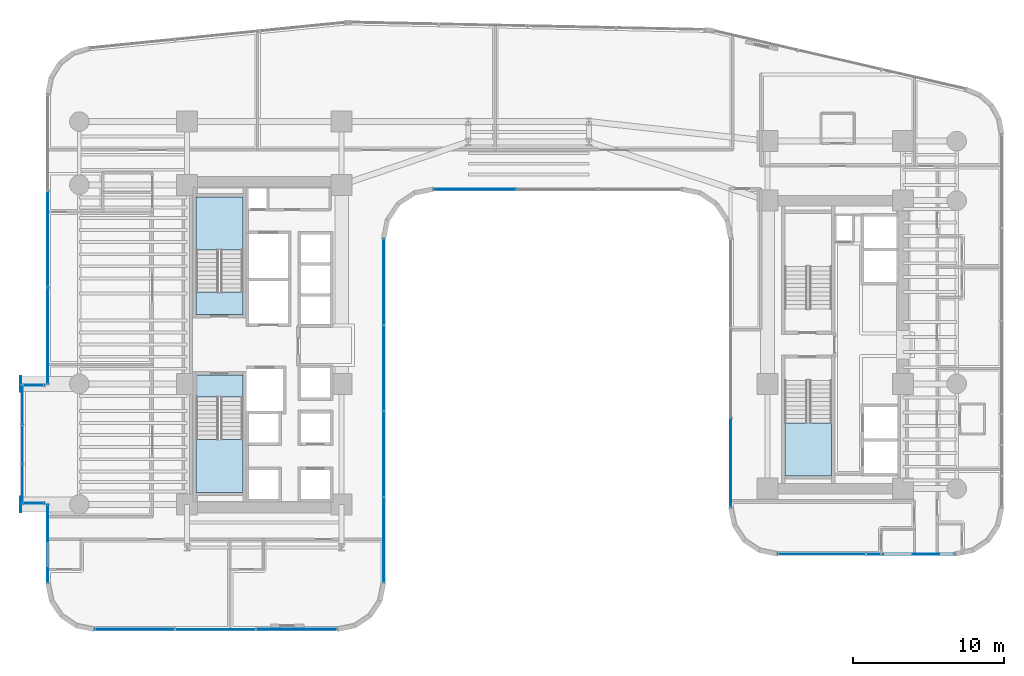
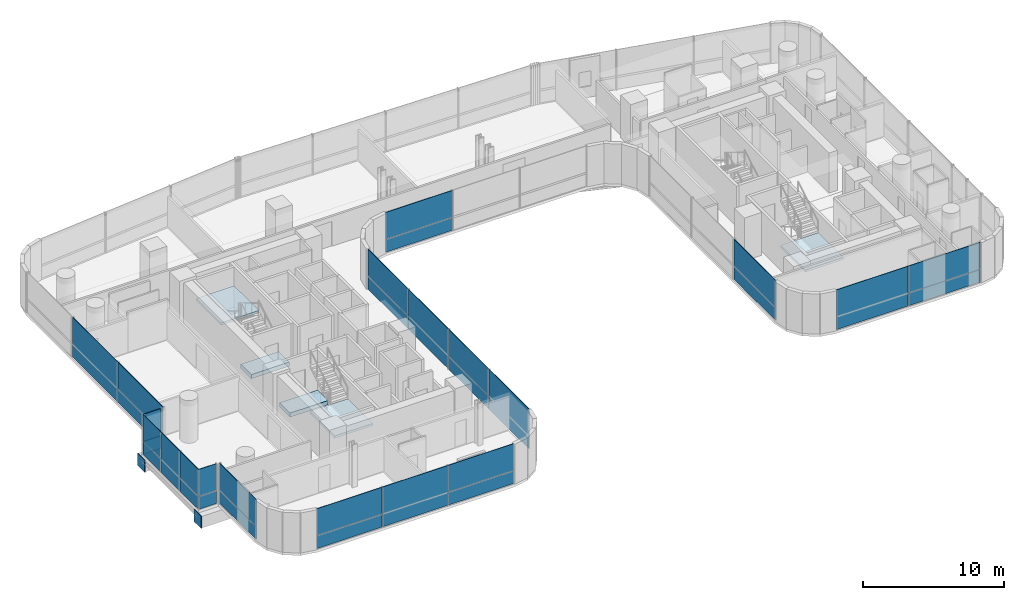
# One storey, part 28 of 40: 34 plates, 5 slabs, 13 elements without a shape of their own.
"""IFC4 building model written with IfcOpenShell, lengths in metres."""

from ifc_helpers import new_model, si_unit, direction, frame, origin, origin_2d, place, context, subcontext, project, spatial, polyline, rectangle, outline, extrude, source, transform, mapped, material, layer, layer_set, type_object, element, aggregate, save


model = new_model("IFC4")

# Units and contexts
model_context = context("Model", 3, precision=1e-05, world=origin(), true_north=direction((0.0, 1.0)))
body_context = subcontext(model_context, "Body", "Model", "MODEL_VIEW")
ifc_project = project(units=[si_unit("LENGTHUNIT", "METRE"), si_unit("AREAUNIT", "SQUARE_METRE"), si_unit("VOLUMEUNIT", "CUBIC_METRE"), si_unit("PLANEANGLEUNIT", "RADIAN"), si_unit("MASSUNIT", "GRAM", prefix="KILO")], contexts=[model_context])

# Site, building, storey
site_placement = place(None, origin())
site = spatial("IfcSite", under=ifc_project, at=site_placement, CompositionType="ELEMENT")
building_placement = place(site_placement, origin())
building = spatial("IfcBuilding", under=site, at=building_placement, Name="Valdorenza Pilgrim Sanctuary Tower", CompositionType="ELEMENT")
storey_placement = place(building_placement, frame((0.0, 0.0, 66.699951171875)))
storey = spatial("IfcBuildingStorey", under=building, at=storey_placement, Name="L16", CompositionType="ELEMENT", Elevation=66.699951171875)

# Stair, slab
ifc_material_1 = material(Name="Concrete C40/50", Category="concrete")
stair_type = type_object("IfcStairType", Name="STR-DOG-CORE", PredefinedType="HALF_TURN_STAIR", material=ifc_material_1)
stair_1_placement = place(storey_placement, origin())
stair_1 = element("IfcStair", 1, at=stair_1_placement, inside=storey, type_object=stair_type, Name="L16 ST-A1", PredefinedType="HALF_TURN_STAIR")
ifc_layer_1 = layer(ifc_material_1, 0.199951171875, Name="Concrete C40/50")
ifc_layer_set_1 = layer_set([ifc_layer_1], Name="Concrete C40/50")
slab_type_1 = type_object("IfcSlabType", Name="SLAB-STL-200", PredefinedType="LANDING", material=ifc_layer_set_1)
slab_1_placement = place(storey_placement, frame((0.0, 0.0, 1.650146484375)))
slab_1 = element("IfcSlab", 2, at=slab_1_placement, type_object=slab_type_1, Name="ST-A1 landing 1", PredefinedType="LANDING", context=body_context, shape_type="SweptSolid", body=[
    extrude(outline(polyline([(-18.93994140625, 6.280029296875), (-18.93994140625, 9.800048828125), (-22.050048828125, 9.800048828125), (-22.050048828125, 6.280029296875), (-18.93994140625, 6.280029296875)])), origin(), (0.0, 0.0, 1.0), 0.199951171875),
])
aggregate(stair_1, [slab_1])

stair_2_placement = place(storey_placement, origin())
stair_2 = element("IfcStair", 3, at=stair_2_placement, inside=storey, type_object=stair_type, Name="L16 ST-A2", PredefinedType="HALF_TURN_STAIR")
slab_2_placement = place(storey_placement, frame((0.0, 0.0, 1.650146484375)))
slab_2 = element("IfcSlab", 4, at=slab_2_placement, type_object=slab_type_1, Name="ST-A2 landing 1", PredefinedType="LANDING", context=body_context, shape_type="SweptSolid", body=[
    extrude(outline(polyline([(-22.050048828125, -6.280029296875), (-22.050048828125, -9.800048828125), (-18.93994140625, -9.800048828125), (-18.93994140625, -6.280029296875), (-22.050048828125, -6.280029296875)])), origin(), (0.0, 0.0, 1.0), 0.199951171875),
])
aggregate(stair_2, [slab_2])

stair_3_placement = place(storey_placement, origin())
stair_3 = element("IfcStair", 5, at=stair_3_placement, inside=storey, type_object=stair_type, Name="L16 ST-B2", PredefinedType="HALF_TURN_STAIR")
slab_3_placement = place(storey_placement, frame((0.0, 0.0, 1.650146484375)))
slab_3 = element("IfcSlab", 6, at=slab_3_placement, type_object=slab_type_1, Name="ST-B2 landing 1", PredefinedType="LANDING", context=body_context, shape_type="SweptSolid", body=[
    extrude(outline(polyline([(17.0, -5.179931640625), (17.0, -8.699951171875), (20.110107421875, -8.699951171875), (20.110107421875, -5.179931640625), (17.0, -5.179931640625)])), origin(), (0.0, 0.0, 1.0), 0.199951171875),
])
aggregate(stair_3, [slab_3])

# Slabs
ifc_material_2 = material(Name="Concrete C50/60", Category="concrete")
ifc_layer_2 = layer(ifc_material_2, 0.39990234375, Name="Concrete C50/60")
ifc_layer_set_2 = layer_set([ifc_layer_2], Name="Concrete C50/60")
slab_type_2 = type_object("IfcSlabType", Name="SLAB-TRF-400", PredefinedType="FLOOR", material=ifc_layer_set_2)
slab_4_placement = place(storey_placement, frame((0.0, 0.0, -0.35986328125)))
element("IfcSlab", 7, at=slab_4_placement, inside=storey, type_object=slab_type_2, Name="L16 ST-A1 Structural Stair Landing Bearing Slab", PredefinedType="FLOOR", context=body_context, shape_type="SweptSolid", body=[
    extrude(outline(polyline([(-22.050048828125, 2.0), (-18.93994140625, 2.0), (-18.93994140625, 3.485107421875), (-22.050048828125, 3.485107421875), (-22.050048828125, 2.0)])), origin(), (0.0, 0.0, 1.0), 0.35986328125),
])
slab_5_placement = place(storey_placement, frame((0.0, 0.0, -0.35986328125)))
element("IfcSlab", 8, at=slab_5_placement, inside=storey, type_object=slab_type_2, Name="L16 ST-A2 Structural Stair Landing Bearing Slab", PredefinedType="FLOOR", context=body_context, shape_type="SweptSolid", body=[
    extrude(outline(polyline([(-22.050048828125, -3.485107421875), (-18.93994140625, -3.485107421875), (-18.93994140625, -2.0), (-22.050048828125, -2.0), (-22.050048828125, -3.485107421875)])), origin(), (0.0, 0.0, 1.0), 0.35986328125),
])

# Plates
ifc_material_3 = material(Name="Steel ASTM A572 Grade 42", Category="steel")
ifc_layer_3 = layer(ifc_material_3, 0.06005859375, Name="Steel ASTM A572 Grade 42")
ifc_layer_set_3 = layer_set([ifc_layer_3], Name="Steel ASTM A572 Grade 42")
plate_type_1 = type_object("IfcPlateType", Name="PLT-CAP-60", PredefinedType="SHEET", material=ifc_layer_set_3)
shared_shape_1 = source(origin(), body_context, "Body", "SweptSolid", [
    extrude(rectangle(XDim=0.06005859375, YDim=1.0400390625, at=origin_2d()), origin(), (0.0, 0.0, 1.0), 1.0400390625),
])
for number, where, z_axis, x_axis, name in (
    (9, (-33.679931640625, -2.60009765625, -1.260009765625), (0.0, 0.0, 1.0), (1.0, 0.0, 0.0), "L16 BOX-WA-L16 Cantilever Tip End Cap N"),
    (10, (-33.679931640625, -10.60009765625, -1.260009765625), (0.0, 0.0, 1.0), (1.0, 0.0, 0.0), "L16 BOX-WA-L16 Cantilever Tip End Cap S"),
):
    element("IfcPlate", number, at=place(storey_placement, frame(where, z_axis=z_axis, x_axis=x_axis)), inside=storey, type_object=plate_type_1, Name=name, PredefinedType="SHEET", context=body_context, shape_type="MappedRepresentation", body=[
        mapped(shared_shape_1, transform((0.0, 0.0, 0.0), x_axis=(1.0, 0.0, 0.0), y_axis=(0.0, 1.0, 0.0), z_axis=(0.0, 0.0, 1.0), scale=1.0)),
    ])

# Curtain wall, plates
ifc_material_4 = material(Name="Curtain-wall IGU glazing", Category="glass")
curtain_wall_type_1 = type_object("IfcCurtainWallType", Name="CW-SYS-02", PredefinedType="NOTDEFINED", material=ifc_material_4)
curtain_wall_1_placement = place(storey_placement, origin())
curtain_wall_1 = element("IfcCurtainWall", 11, at=curtain_wall_1_placement, inside=storey, type_object=curtain_wall_type_1, Name="L16 Curtain Wall CW-L16-1-1S1", PredefinedType="NOTDEFINED")
ifc_material_5 = material(Name="Honed travertine limestone", Category="masonry")
ifc_layer_4 = layer(ifc_material_5, 0.050048828125, Name="Honed travertine limestone")
ifc_layer_set_4 = layer_set([ifc_layer_4], Name="Honed travertine limestone")
plate_type_2 = type_object("IfcPlateType", Name="CW-SPN-TRV", PredefinedType="USERDEFINED", material=ifc_layer_set_4)
shared_shape_2 = source(origin(), body_context, "Body", "SweptSolid", [
    extrude(rectangle(XDim=5.169189453125, YDim=0.06005859375, at=origin_2d()), origin(), (0.0, 0.0, 1.0), 1.10009765625),
])
plate_1_placement = place(storey_placement, frame((-31.889892578125, -13.194580078125, 0.010009765625), z_axis=(0.0, 0.0, 1.0), x_axis=(0.0, 1.0, 0.0)))
plate_1 = element("IfcPlate", 12, at=plate_1_placement, type_object=plate_type_2, Name="CW-L16-1-1S1 Travertine Spandrel 1", ObjectType="SPANDREL", PredefinedType="USERDEFINED", context=body_context, shape_type="MappedRepresentation", body=[
    mapped(shared_shape_2, transform((0.0, 0.0, 0.0), x_axis=(1.0, 0.0, 0.0), y_axis=(0.0, 1.0, 0.0), z_axis=(0.0, 0.0, 1.0), scale=1.0)),
])
ifc_material_6 = material(Name="Ceramic-fritted low-E IGU glazing", Category="glass")
ifc_layer_5 = layer(ifc_material_6, 0.035888671875, Name="Ceramic-fritted low-E IGU glazing")
ifc_layer_set_5 = layer_set([ifc_layer_5], Name="Ceramic-fritted low-E IGU glazing")
plate_type_3 = type_object("IfcPlateType", Name="CW-GLZ-IGU", PredefinedType="USERDEFINED", material=ifc_layer_set_5)
shared_shape_3 = source(origin(), body_context, "Body", "SweptSolid", [
    extrude(rectangle(XDim=5.169189453125, YDim=0.050048828125, at=origin_2d()), origin(), (0.0, 0.0, 1.0), 2.320068359375),
])
plate_2_placement = place(storey_placement, frame((-31.889892578125, -13.194580078125, 1.1298828125), z_axis=(0.0, 0.0, 1.0), x_axis=(0.0, 1.0, 0.0)))
plate_2 = element("IfcPlate", 13, at=plate_2_placement, type_object=plate_type_3, Name="CW-L16-1-1S1 Facade Panel 1", ObjectType="GLAZING", PredefinedType="USERDEFINED", context=body_context, shape_type="MappedRepresentation", body=[
    mapped(shared_shape_3, transform((0.0, 0.0, 0.0), x_axis=(1.0, 0.0, 0.0), y_axis=(0.0, 1.0, 0.0), z_axis=(0.0, 0.0, 1.0), scale=1.0)),
])
aggregate(curtain_wall_1, [plate_1, plate_2])

curtain_wall_2_placement = place(storey_placement, origin())
curtain_wall_2 = element("IfcCurtainWall", 14, at=curtain_wall_2_placement, inside=storey, type_object=curtain_wall_type_1, Name="L16 Curtain Wall CW-L16-1-1S2", PredefinedType="NOTDEFINED")
shared_shape_4 = source(origin(), body_context, "Body", "SweptSolid", [
    extrude(rectangle(XDim=6.3779296875, YDim=0.06005859375, at=origin_2d()), origin(), (0.0, 0.0, 1.0), 1.10009765625),
])
plate_3_placement = place(storey_placement, frame((-31.889892578125, 0.59912109375, 0.010009765625), z_axis=(0.0, 0.0, 1.0), x_axis=(0.0, 1.0, 0.0)))
plate_3 = element("IfcPlate", 15, at=plate_3_placement, type_object=plate_type_2, Name="CW-L16-1-1S2 Travertine Spandrel 1", ObjectType="SPANDREL", PredefinedType="USERDEFINED", context=body_context, shape_type="MappedRepresentation", body=[
    mapped(shared_shape_4, transform((0.0, 0.0, 0.0), x_axis=(1.0, 0.0, 0.0), y_axis=(0.0, 1.0, 0.0), z_axis=(0.0, 0.0, 1.0), scale=1.0)),
])
shared_shape_5 = source(origin(), body_context, "Body", "SweptSolid", [
    extrude(rectangle(XDim=6.3779296875, YDim=0.050048828125, at=origin_2d()), origin(), (0.0, 0.0, 1.0), 2.320068359375),
])
plate_4_placement = place(storey_placement, frame((-31.889892578125, 0.59912109375, 1.1298828125), z_axis=(0.0, 0.0, 1.0), x_axis=(0.0, 1.0, 0.0)))
plate_4 = element("IfcPlate", 16, at=plate_4_placement, type_object=plate_type_3, Name="CW-L16-1-1S2 Facade Panel 1", ObjectType="GLAZING", PredefinedType="USERDEFINED", context=body_context, shape_type="MappedRepresentation", body=[
    mapped(shared_shape_5, transform((0.0, 0.0, 0.0), x_axis=(1.0, 0.0, 0.0), y_axis=(0.0, 1.0, 0.0), z_axis=(0.0, 0.0, 1.0), scale=1.0)),
])
shared_shape_6 = source(origin(), body_context, "Body", "SweptSolid", [
    extrude(rectangle(XDim=6.3779296875, YDim=0.050048828125, at=origin_2d()), origin(), (0.0, 0.0, 1.0), 3.43994140625),
])
plate_5_placement = place(storey_placement, frame((-31.889892578125, 6.9970703125, 0.010009765625), z_axis=(0.0, 0.0, 1.0), x_axis=(0.0, 1.0, 0.0)))
plate_5 = element("IfcPlate", 17, at=plate_5_placement, type_object=plate_type_3, Name="CW-L16-1-1S2 Full-Height Facade Panel 2", ObjectType="GLAZING", PredefinedType="USERDEFINED", context=body_context, shape_type="MappedRepresentation", body=[
    mapped(shared_shape_6, transform((0.0, 0.0, 0.0), x_axis=(1.0, 0.0, 0.0), y_axis=(0.0, 1.0, 0.0), z_axis=(0.0, 0.0, 1.0), scale=1.0)),
])
aggregate(curtain_wall_2, [plate_3, plate_4, plate_5])

curtain_wall_type_2 = type_object("IfcCurtainWallType", Name="CW-SYS-03", PredefinedType="NOTDEFINED", material=ifc_material_4)
curtain_wall_3_placement = place(storey_placement, origin())
curtain_wall_3 = element("IfcCurtainWall", 18, at=curtain_wall_3_placement, inside=storey, type_object=curtain_wall_type_2, Name="L16 Curtain Wall CW-L16-1-26", PredefinedType="NOTDEFINED")
shared_shape_7 = source(origin(), body_context, "Body", "SweptSolid", [
    extrude(rectangle(XDim=5.869140625, YDim=0.06005859375, at=origin_2d()), origin(), (0.0, 0.0, 1.0), 1.10009765625),
])
plate_6_placement = place(storey_placement, frame((25.344482421875, -13.889892578125, 0.010009765625), z_axis=(0.0, 0.0, 1.0), x_axis=(-1.0, 0.0, 0.0)))
plate_6 = element("IfcPlate", 19, at=plate_6_placement, type_object=plate_type_2, Name="CW-L16-1-26 Travertine Spandrel 1", ObjectType="SPANDREL", PredefinedType="USERDEFINED", context=body_context, shape_type="MappedRepresentation", body=[
    mapped(shared_shape_7, transform((0.0, 0.0, 0.0), x_axis=(1.0, 0.0, 0.0), y_axis=(0.0, 1.0, 0.0), z_axis=(0.0, 0.0, 1.0), scale=1.0)),
])
shared_shape_8 = source(origin(), body_context, "Body", "SweptSolid", [
    extrude(rectangle(XDim=5.869140625, YDim=0.050048828125, at=origin_2d()), origin(), (0.0, 0.0, 1.0), 2.320068359375),
])
plate_7_placement = place(storey_placement, frame((25.344482421875, -13.889892578125, 1.1298828125), z_axis=(0.0, 0.0, 1.0), x_axis=(-1.0, 0.0, 0.0)))
plate_7 = element("IfcPlate", 20, at=plate_7_placement, type_object=plate_type_3, Name="CW-L16-1-26 Facade Panel 1", ObjectType="GLAZING", PredefinedType="USERDEFINED", context=body_context, shape_type="MappedRepresentation", body=[
    mapped(shared_shape_8, transform((0.0, 0.0, 0.0), x_axis=(1.0, 0.0, 0.0), y_axis=(0.0, 1.0, 0.0), z_axis=(0.0, 0.0, 1.0), scale=1.0)),
])
shared_shape_9 = source(origin(), body_context, "Body", "SweptSolid", [
    extrude(rectangle(XDim=5.869140625, YDim=0.050048828125, at=origin_2d()), origin(), (0.0, 0.0, 1.0), 3.43994140625),
])
plate_8_placement = place(storey_placement, frame((19.455322265625, -13.889892578125, 0.010009765625), z_axis=(0.0, 0.0, 1.0), x_axis=(-1.0, 0.0, 0.0)))
plate_8 = element("IfcPlate", 21, at=plate_8_placement, type_object=plate_type_3, Name="CW-L16-1-26 Full-Height Facade Panel 2", ObjectType="GLAZING", PredefinedType="USERDEFINED", context=body_context, shape_type="MappedRepresentation", body=[
    mapped(shared_shape_9, transform((0.0, 0.0, 0.0), x_axis=(1.0, 0.0, 0.0), y_axis=(0.0, 1.0, 0.0), z_axis=(0.0, 0.0, 1.0), scale=1.0)),
])
aggregate(curtain_wall_3, [plate_6, plate_7, plate_8])

curtain_wall_4_placement = place(storey_placement, origin())
curtain_wall_4 = element("IfcCurtainWall", 22, at=curtain_wall_4_placement, inside=storey, type_object=curtain_wall_type_2, Name="L16 Curtain Wall CW-L16-1-31", PredefinedType="NOTDEFINED")
shared_shape_10 = source(origin(), body_context, "Body", "SweptSolid", [
    extrude(rectangle(XDim=5.913330078125, YDim=0.06005859375, at=origin_2d()), origin(), (0.0, 0.0, 1.0), 1.10009765625),
])
plate_9_placement = place(storey_placement, frame((13.409912109375, -7.822509765625, 0.010009765625), z_axis=(0.0, 0.0, 1.0), x_axis=(0.0, 1.0, 0.0)))
plate_9 = element("IfcPlate", 23, at=plate_9_placement, type_object=plate_type_2, Name="CW-L16-1-31 Travertine Spandrel 1", ObjectType="SPANDREL", PredefinedType="USERDEFINED", context=body_context, shape_type="MappedRepresentation", body=[
    mapped(shared_shape_10, transform((0.0, 0.0, 0.0), x_axis=(1.0, 0.0, 0.0), y_axis=(0.0, 1.0, 0.0), z_axis=(0.0, 0.0, 1.0), scale=1.0)),
])
shared_shape_11 = source(origin(), body_context, "Body", "SweptSolid", [
    extrude(rectangle(XDim=5.913330078125, YDim=0.050048828125, at=origin_2d()), origin(), (0.0, 0.0, 1.0), 2.320068359375),
])
plate_10_placement = place(storey_placement, frame((13.409912109375, -7.822509765625, 1.1298828125), z_axis=(0.0, 0.0, 1.0), x_axis=(0.0, 1.0, 0.0)))
plate_10 = element("IfcPlate", 24, at=plate_10_placement, type_object=plate_type_3, Name="CW-L16-1-31 Facade Panel 1", ObjectType="GLAZING", PredefinedType="USERDEFINED", context=body_context, shape_type="MappedRepresentation", body=[
    mapped(shared_shape_11, transform((0.0, 0.0, 0.0), x_axis=(1.0, 0.0, 0.0), y_axis=(0.0, 1.0, 0.0), z_axis=(0.0, 0.0, 1.0), scale=1.0)),
])
aggregate(curtain_wall_4, [plate_9, plate_10])

curtain_wall_5_placement = place(storey_placement, origin())
curtain_wall_5 = element("IfcCurtainWall", 25, at=curtain_wall_5_placement, inside=storey, type_object=curtain_wall_type_1, Name="L16 Curtain Wall CW-L16-1-36", PredefinedType="NOTDEFINED")
shared_shape_12 = source(origin(), body_context, "Body", "SweptSolid", [
    extrude(rectangle(XDim=5.453857421875, YDim=0.06005859375, at=origin_2d()), origin(), (0.0, 0.0, 1.0), 1.10009765625),
])
plate_11_placement = place(storey_placement, frame((-3.573974609375, 10.31005859375, 0.010009765625), z_axis=(0.0, 0.0, 1.0), x_axis=(-1.0, 0.0, 0.0)))
plate_11 = element("IfcPlate", 26, at=plate_11_placement, type_object=plate_type_2, Name="CW-L16-1-36 Travertine Spandrel 3", ObjectType="SPANDREL", PredefinedType="USERDEFINED", context=body_context, shape_type="MappedRepresentation", body=[
    mapped(shared_shape_12, transform((0.0, 0.0, 0.0), x_axis=(1.0, 0.0, 0.0), y_axis=(0.0, 1.0, 0.0), z_axis=(0.0, 0.0, 1.0), scale=1.0)),
])
shared_shape_13 = source(origin(), body_context, "Body", "SweptSolid", [
    extrude(rectangle(XDim=5.453857421875, YDim=0.050048828125, at=origin_2d()), origin(), (0.0, 0.0, 1.0), 2.320068359375),
])
plate_12_placement = place(storey_placement, frame((-3.573974609375, 10.31005859375, 1.1298828125), z_axis=(0.0, 0.0, 1.0), x_axis=(-1.0, 0.0, 0.0)))
plate_12 = element("IfcPlate", 27, at=plate_12_placement, type_object=plate_type_3, Name="CW-L16-1-36 Facade Panel 3", ObjectType="GLAZING", PredefinedType="USERDEFINED", context=body_context, shape_type="MappedRepresentation", body=[
    mapped(shared_shape_13, transform((0.0, 0.0, 0.0), x_axis=(1.0, 0.0, 0.0), y_axis=(0.0, 1.0, 0.0), z_axis=(0.0, 0.0, 1.0), scale=1.0)),
])
aggregate(curtain_wall_5, [plate_11, plate_12])

curtain_wall_6_placement = place(storey_placement, origin())
curtain_wall_6 = element("IfcCurtainWall", 28, at=curtain_wall_6_placement, inside=storey, type_object=curtain_wall_type_1, Name="L16 Curtain Wall CW-L16-1-41", PredefinedType="NOTDEFINED")
shared_shape_14 = source(origin(), body_context, "Body", "SweptSolid", [
    extrude(rectangle(XDim=5.679931640625, YDim=0.06005859375, at=origin_2d()), origin(), (0.0, 0.0, 1.0), 1.10009765625),
])
plate_13_placement = place(storey_placement, frame((-9.610107421875, 4.160888671875, 0.010009765625), z_axis=(0.0, 0.0, 1.0), x_axis=(0.0, -1.0, 0.0)))
plate_13 = element("IfcPlate", 29, at=plate_13_placement, type_object=plate_type_2, Name="CW-L16-1-41 Travertine Spandrel 1", ObjectType="SPANDREL", PredefinedType="USERDEFINED", context=body_context, shape_type="MappedRepresentation", body=[
    mapped(shared_shape_14, transform((0.0, 0.0, 0.0), x_axis=(1.0, 0.0, 0.0), y_axis=(0.0, 1.0, 0.0), z_axis=(0.0, 0.0, 1.0), scale=1.0)),
])
plate_14_placement = place(storey_placement, frame((-9.610107421875, -7.2392578125, 0.010009765625), z_axis=(0.0, 0.0, 1.0), x_axis=(0.0, -1.0, 0.0)))
plate_14 = element("IfcPlate", 30, at=plate_14_placement, type_object=plate_type_2, Name="CW-L16-1-41 Travertine Spandrel 3", ObjectType="SPANDREL", PredefinedType="USERDEFINED", context=body_context, shape_type="MappedRepresentation", body=[
    mapped(shared_shape_14, transform((0.0, 0.0, 0.0), x_axis=(1.0, 0.0, 0.0), y_axis=(0.0, 1.0, 0.0), z_axis=(0.0, 0.0, 1.0), scale=1.0)),
])
shared_shape_15 = source(origin(), body_context, "Body", "SweptSolid", [
    extrude(rectangle(XDim=5.679931640625, YDim=0.050048828125, at=origin_2d()), origin(), (0.0, 0.0, 1.0), 2.320068359375),
])
plate_15_placement = place(storey_placement, frame((-9.610107421875, 4.160888671875, 1.1298828125), z_axis=(0.0, 0.0, 1.0), x_axis=(0.0, -1.0, 0.0)))
plate_15 = element("IfcPlate", 31, at=plate_15_placement, type_object=plate_type_3, Name="CW-L16-1-41 Facade Panel 1", ObjectType="GLAZING", PredefinedType="USERDEFINED", context=body_context, shape_type="MappedRepresentation", body=[
    mapped(shared_shape_15, transform((0.0, 0.0, 0.0), x_axis=(1.0, 0.0, 0.0), y_axis=(0.0, 1.0, 0.0), z_axis=(0.0, 0.0, 1.0), scale=1.0)),
])
plate_16_placement = place(storey_placement, frame((-9.610107421875, -7.2392578125, 1.1298828125), z_axis=(0.0, 0.0, 1.0), x_axis=(0.0, -1.0, 0.0)))
plate_16 = element("IfcPlate", 32, at=plate_16_placement, type_object=plate_type_3, Name="CW-L16-1-41 Facade Panel 3", ObjectType="GLAZING", PredefinedType="USERDEFINED", context=body_context, shape_type="MappedRepresentation", body=[
    mapped(shared_shape_15, transform((0.0, 0.0, 0.0), x_axis=(1.0, 0.0, 0.0), y_axis=(0.0, 1.0, 0.0), z_axis=(0.0, 0.0, 1.0), scale=1.0)),
])
shared_shape_16 = source(origin(), body_context, "Body", "SweptSolid", [
    extrude(rectangle(XDim=5.679931640625, YDim=0.050048828125, at=origin_2d()), origin(), (0.0, 0.0, 1.0), 3.43994140625),
])
plate_17_placement = place(storey_placement, frame((-9.610107421875, -1.539306640625, 0.010009765625), z_axis=(0.0, 0.0, 1.0), x_axis=(0.0, -1.0, 0.0)))
plate_17 = element("IfcPlate", 33, at=plate_17_placement, type_object=plate_type_3, Name="CW-L16-1-41 Full-Height Facade Panel 2", ObjectType="GLAZING", PredefinedType="USERDEFINED", context=body_context, shape_type="MappedRepresentation", body=[
    mapped(shared_shape_16, transform((0.0, 0.0, 0.0), x_axis=(1.0, 0.0, 0.0), y_axis=(0.0, 1.0, 0.0), z_axis=(0.0, 0.0, 1.0), scale=1.0)),
])
plate_18_placement = place(storey_placement, frame((-9.610107421875, -12.939208984375, 0.010009765625), z_axis=(0.0, 0.0, 1.0), x_axis=(0.0, -1.0, 0.0)))
plate_18 = element("IfcPlate", 34, at=plate_18_placement, type_object=plate_type_3, Name="CW-L16-1-41 Full-Height Facade Panel 4", ObjectType="GLAZING", PredefinedType="USERDEFINED", context=body_context, shape_type="MappedRepresentation", body=[
    mapped(shared_shape_16, transform((0.0, 0.0, 0.0), x_axis=(1.0, 0.0, 0.0), y_axis=(0.0, 1.0, 0.0), z_axis=(0.0, 0.0, 1.0), scale=1.0)),
])
aggregate(curtain_wall_6, [plate_13, plate_15, plate_17, plate_14, plate_16, plate_18])

curtain_wall_7_placement = place(storey_placement, origin())
curtain_wall_7 = element("IfcCurtainWall", 35, at=curtain_wall_7_placement, inside=storey, type_object=curtain_wall_type_1, Name="L16 Curtain Wall CW-L16-1-46", PredefinedType="NOTDEFINED")
shared_shape_17 = source(origin(), body_context, "Body", "SweptSolid", [
    extrude(rectangle(XDim=5.339599609375, YDim=0.06005859375, at=origin_2d()), origin(), (0.0, 0.0, 1.0), 1.10009765625),
])
plate_19_placement = place(storey_placement, frame((-15.390380859375, -18.889892578125, 0.010009765625), z_axis=(0.0, 0.0, 1.0), x_axis=(-1.0, 0.0, 0.0)))
plate_19 = element("IfcPlate", 36, at=plate_19_placement, type_object=plate_type_2, Name="CW-L16-1-46 Travertine Spandrel 1", ObjectType="SPANDREL", PredefinedType="USERDEFINED", context=body_context, shape_type="MappedRepresentation", body=[
    mapped(shared_shape_17, transform((0.0, 0.0, 0.0), x_axis=(1.0, 0.0, 0.0), y_axis=(0.0, 1.0, 0.0), z_axis=(0.0, 0.0, 1.0), scale=1.0)),
])
plate_20_placement = place(storey_placement, frame((-26.109619140625, -18.889892578125, 0.010009765625), z_axis=(0.0, 0.0, 1.0), x_axis=(-1.0, 0.0, 0.0)))
plate_20 = element("IfcPlate", 37, at=plate_20_placement, type_object=plate_type_2, Name="CW-L16-1-46 Travertine Spandrel 3", ObjectType="SPANDREL", PredefinedType="USERDEFINED", context=body_context, shape_type="MappedRepresentation", body=[
    mapped(shared_shape_17, transform((0.0, 0.0, 0.0), x_axis=(1.0, 0.0, 0.0), y_axis=(0.0, 1.0, 0.0), z_axis=(0.0, 0.0, 1.0), scale=1.0)),
])
shared_shape_18 = source(origin(), body_context, "Body", "SweptSolid", [
    extrude(rectangle(XDim=5.339599609375, YDim=0.050048828125, at=origin_2d()), origin(), (0.0, 0.0, 1.0), 2.320068359375),
])
plate_21_placement = place(storey_placement, frame((-15.390380859375, -18.889892578125, 1.1298828125), z_axis=(0.0, 0.0, 1.0), x_axis=(-1.0, 0.0, 0.0)))
plate_21 = element("IfcPlate", 38, at=plate_21_placement, type_object=plate_type_3, Name="CW-L16-1-46 Facade Panel 1", ObjectType="GLAZING", PredefinedType="USERDEFINED", context=body_context, shape_type="MappedRepresentation", body=[
    mapped(shared_shape_18, transform((0.0, 0.0, 0.0), x_axis=(1.0, 0.0, 0.0), y_axis=(0.0, 1.0, 0.0), z_axis=(0.0, 0.0, 1.0), scale=1.0)),
])
plate_22_placement = place(storey_placement, frame((-26.109619140625, -18.889892578125, 1.1298828125), z_axis=(0.0, 0.0, 1.0), x_axis=(-1.0, 0.0, 0.0)))
plate_22 = element("IfcPlate", 39, at=plate_22_placement, type_object=plate_type_3, Name="CW-L16-1-46 Facade Panel 3", ObjectType="GLAZING", PredefinedType="USERDEFINED", context=body_context, shape_type="MappedRepresentation", body=[
    mapped(shared_shape_18, transform((0.0, 0.0, 0.0), x_axis=(1.0, 0.0, 0.0), y_axis=(0.0, 1.0, 0.0), z_axis=(0.0, 0.0, 1.0), scale=1.0)),
])
shared_shape_19 = source(origin(), body_context, "Body", "SweptSolid", [
    extrude(rectangle(XDim=5.339599609375, YDim=0.050048828125, at=origin_2d()), origin(), (0.0, 0.0, 1.0), 3.43994140625),
])
plate_23_placement = place(storey_placement, frame((-20.75, -18.889892578125, 0.010009765625), z_axis=(0.0, 0.0, 1.0), x_axis=(-1.0, 0.0, 0.0)))
plate_23 = element("IfcPlate", 40, at=plate_23_placement, type_object=plate_type_3, Name="CW-L16-1-46 Full-Height Facade Panel 2", ObjectType="GLAZING", PredefinedType="USERDEFINED", context=body_context, shape_type="MappedRepresentation", body=[
    mapped(shared_shape_19, transform((0.0, 0.0, 0.0), x_axis=(1.0, 0.0, 0.0), y_axis=(0.0, 1.0, 0.0), z_axis=(0.0, 0.0, 1.0), scale=1.0)),
])
aggregate(curtain_wall_7, [plate_19, plate_21, plate_23, plate_20, plate_22])

# Curtain wall, plate
curtain_wall_8_placement = place(storey_placement, origin())
curtain_wall_8 = element("IfcCurtainWall", 41, at=curtain_wall_8_placement, inside=storey, type_object=curtain_wall_type_1, Name="L16 Curtain Wall CW-L16-BOX-WA-L16-S", PredefinedType="NOTDEFINED")
shared_shape_20 = source(origin(), body_context, "Body", "SweptSolid", [
    extrude(rectangle(XDim=1.43994140625, YDim=0.06005859375, at=origin_2d()), origin(), (0.0, 0.0, 1.0), 1.10009765625),
])
plate_24_placement = place(storey_placement, frame((-32.840087890625, -10.52001953125, 0.010009765625), z_axis=(0.0, 0.0, 1.0), x_axis=(-1.0, 0.0, 0.0)))
plate_24 = element("IfcPlate", 42, at=plate_24_placement, type_object=plate_type_2, Name="CW-L16-BOX-WA-L16-S Travertine Spandrel 1", ObjectType="SPANDREL", PredefinedType="USERDEFINED", context=body_context, shape_type="MappedRepresentation", body=[
    mapped(shared_shape_20, transform((0.0, 0.0, 0.0), x_axis=(1.0, 0.0, 0.0), y_axis=(0.0, 1.0, 0.0), z_axis=(0.0, 0.0, 1.0), scale=1.0)),
])

curtain_wall_9_placement = place(storey_placement, origin())
curtain_wall_9 = element("IfcCurtainWall", 43, at=curtain_wall_9_placement, inside=storey, type_object=curtain_wall_type_1, Name="L16 Curtain Wall CW-L16-BOX-WA-L16-N", PredefinedType="NOTDEFINED")
plate_25_placement = place(storey_placement, frame((-32.840087890625, -2.679931640625, 0.010009765625), z_axis=(0.0, 0.0, 1.0), x_axis=(1.0, 0.0, 0.0)))
plate_25 = element("IfcPlate", 44, at=plate_25_placement, type_object=plate_type_2, Name="CW-L16-BOX-WA-L16-N Travertine Spandrel 1", ObjectType="SPANDREL", PredefinedType="USERDEFINED", context=body_context, shape_type="MappedRepresentation", body=[
    mapped(shared_shape_20, transform((0.0, 0.0, 0.0), x_axis=(1.0, 0.0, 0.0), y_axis=(0.0, 1.0, 0.0), z_axis=(0.0, 0.0, 1.0), scale=1.0)),
])

# Plate
shared_shape_21 = source(origin(), body_context, "Body", "SweptSolid", [
    extrude(rectangle(XDim=1.43994140625, YDim=0.050048828125, at=origin_2d()), origin(), (0.0, 0.0, 1.0), 2.320068359375),
])
plate_26_placement = place(storey_placement, frame((-32.840087890625, -10.52001953125, 1.1298828125), z_axis=(0.0, 0.0, 1.0), x_axis=(-1.0, 0.0, 0.0)))
plate_26 = element("IfcPlate", 45, at=plate_26_placement, type_object=plate_type_3, Name="CW-L16-BOX-WA-L16-S Facade Panel 1", ObjectType="GLAZING", PredefinedType="USERDEFINED", context=body_context, shape_type="MappedRepresentation", body=[
    mapped(shared_shape_21, transform((0.0, 0.0, 0.0), x_axis=(1.0, 0.0, 0.0), y_axis=(0.0, 1.0, 0.0), z_axis=(0.0, 0.0, 1.0), scale=1.0)),
])

aggregate(curtain_wall_8, [plate_24, plate_26])

plate_27_placement = place(storey_placement, frame((-32.840087890625, -2.679931640625, 1.1298828125), z_axis=(0.0, 0.0, 1.0), x_axis=(1.0, 0.0, 0.0)))
plate_27 = element("IfcPlate", 46, at=plate_27_placement, type_object=plate_type_3, Name="CW-L16-BOX-WA-L16-N Facade Panel 1", ObjectType="GLAZING", PredefinedType="USERDEFINED", context=body_context, shape_type="MappedRepresentation", body=[
    mapped(shared_shape_21, transform((0.0, 0.0, 0.0), x_axis=(1.0, 0.0, 0.0), y_axis=(0.0, 1.0, 0.0), z_axis=(0.0, 0.0, 1.0), scale=1.0)),
])

aggregate(curtain_wall_9, [plate_25, plate_27])

# Curtain wall, plates
curtain_wall_10_placement = place(storey_placement, origin())
curtain_wall_10 = element("IfcCurtainWall", 47, at=curtain_wall_10_placement, inside=storey, type_object=curtain_wall_type_1, Name="L16 Curtain Wall CW-L16-BOX-WA-L16-F", PredefinedType="NOTDEFINED")
shared_shape_22 = source(origin(), body_context, "Body", "SweptSolid", [
    extrude(rectangle(XDim=2.59326171875, YDim=0.06005859375, at=origin_2d()), origin(), (0.0, 0.0, 1.0), 1.10009765625),
])
plate_28_placement = place(storey_placement, frame((-33.570068359375, -9.21337890625, 0.010009765625), z_axis=(0.0, 0.0, 1.0), x_axis=(0.0, 1.0, 0.0)))
plate_28 = element("IfcPlate", 48, at=plate_28_placement, type_object=plate_type_2, Name="CW-L16-BOX-WA-L16-F Travertine Spandrel 1", ObjectType="SPANDREL", PredefinedType="USERDEFINED", context=body_context, shape_type="MappedRepresentation", body=[
    mapped(shared_shape_22, transform((0.0, 0.0, 0.0), x_axis=(1.0, 0.0, 0.0), y_axis=(0.0, 1.0, 0.0), z_axis=(0.0, 0.0, 1.0), scale=1.0)),
])
plate_29_placement = place(storey_placement, frame((-33.570068359375, -3.98681640625, 0.010009765625), z_axis=(0.0, 0.0, 1.0), x_axis=(0.0, 1.0, 0.0)))
plate_29 = element("IfcPlate", 49, at=plate_29_placement, type_object=plate_type_2, Name="CW-L16-BOX-WA-L16-F Travertine Spandrel 3", ObjectType="SPANDREL", PredefinedType="USERDEFINED", context=body_context, shape_type="MappedRepresentation", body=[
    mapped(shared_shape_22, transform((0.0, 0.0, 0.0), x_axis=(1.0, 0.0, 0.0), y_axis=(0.0, 1.0, 0.0), z_axis=(0.0, 0.0, 1.0), scale=1.0)),
])
shared_shape_23 = source(origin(), body_context, "Body", "SweptSolid", [
    extrude(rectangle(XDim=2.59326171875, YDim=0.050048828125, at=origin_2d()), origin(), (0.0, 0.0, 1.0), 2.320068359375),
])
plate_30_placement = place(storey_placement, frame((-33.570068359375, -9.21337890625, 1.1298828125), z_axis=(0.0, 0.0, 1.0), x_axis=(0.0, 1.0, 0.0)))
plate_30 = element("IfcPlate", 50, at=plate_30_placement, type_object=plate_type_3, Name="CW-L16-BOX-WA-L16-F Facade Panel 1", ObjectType="GLAZING", PredefinedType="USERDEFINED", context=body_context, shape_type="MappedRepresentation", body=[
    mapped(shared_shape_23, transform((0.0, 0.0, 0.0), x_axis=(1.0, 0.0, 0.0), y_axis=(0.0, 1.0, 0.0), z_axis=(0.0, 0.0, 1.0), scale=1.0)),
])
plate_31_placement = place(storey_placement, frame((-33.570068359375, -3.98681640625, 1.1298828125), z_axis=(0.0, 0.0, 1.0), x_axis=(0.0, 1.0, 0.0)))
plate_31 = element("IfcPlate", 51, at=plate_31_placement, type_object=plate_type_3, Name="CW-L16-BOX-WA-L16-F Facade Panel 3", ObjectType="GLAZING", PredefinedType="USERDEFINED", context=body_context, shape_type="MappedRepresentation", body=[
    mapped(shared_shape_23, transform((0.0, 0.0, 0.0), x_axis=(1.0, 0.0, 0.0), y_axis=(0.0, 1.0, 0.0), z_axis=(0.0, 0.0, 1.0), scale=1.0)),
])
shared_shape_24 = source(origin(), body_context, "Body", "SweptSolid", [
    extrude(rectangle(XDim=2.59326171875, YDim=0.050048828125, at=origin_2d()), origin(), (0.0, 0.0, 1.0), 3.43994140625),
])
plate_32_placement = place(storey_placement, frame((-33.570068359375, -6.60009765625, 0.010009765625), z_axis=(0.0, 0.0, 1.0), x_axis=(0.0, 1.0, 0.0)))
plate_32 = element("IfcPlate", 52, at=plate_32_placement, type_object=plate_type_3, Name="CW-L16-BOX-WA-L16-F Full-Height Facade Panel 2", ObjectType="GLAZING", PredefinedType="USERDEFINED", context=body_context, shape_type="MappedRepresentation", body=[
    mapped(shared_shape_24, transform((0.0, 0.0, 0.0), x_axis=(1.0, 0.0, 0.0), y_axis=(0.0, 1.0, 0.0), z_axis=(0.0, 0.0, 1.0), scale=1.0)),
])
aggregate(curtain_wall_10, [plate_28, plate_30, plate_32, plate_29, plate_31])

save(model, "model.ifc")
